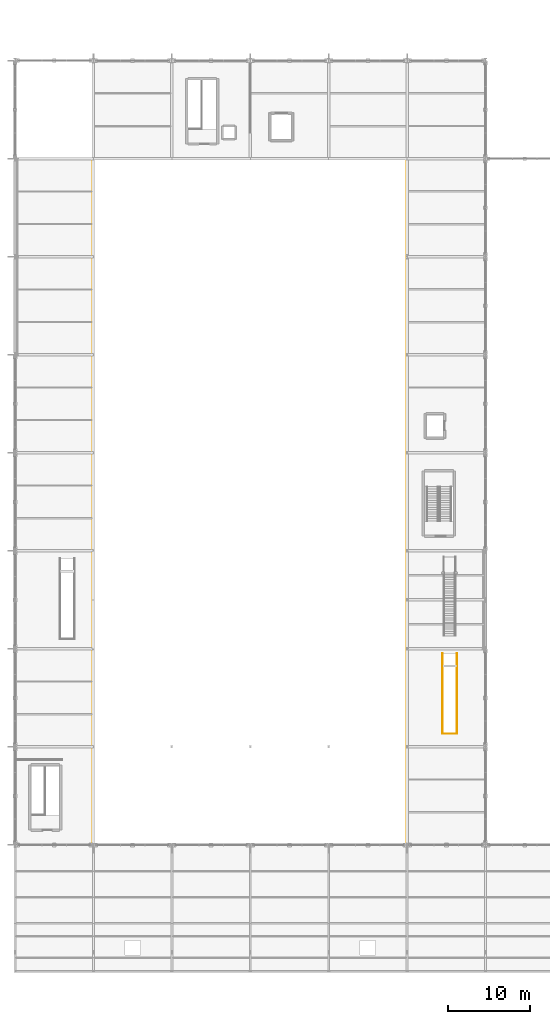
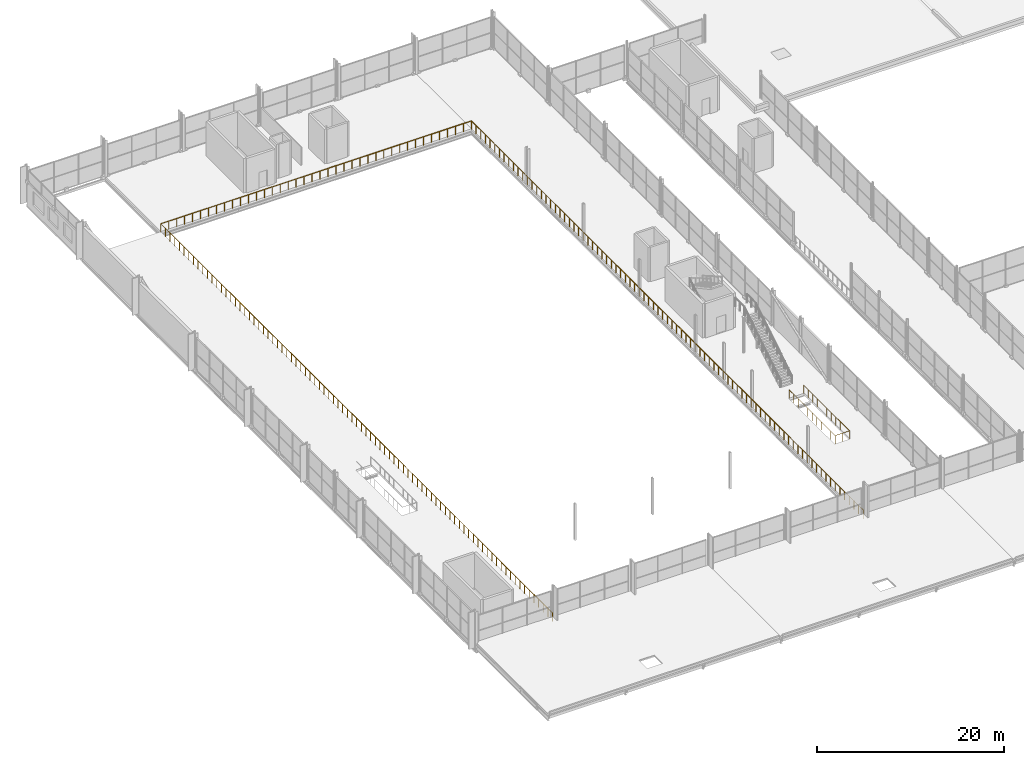
# One storey, part 152 of 159: 2 railings.
"""IFC4 building model written with IfcOpenShell, lengths in metres."""

from ifc_helpers import new_model, si_unit, direction, frame, origin, origin_2d, place, context, subcontext, project, spatial, circle, extrude, material, type_object, element, save


model = new_model("IFC4")

# Units and contexts
model_context = context("Model", 3, precision=1e-05, world=origin(), true_north=direction((0.0, 1.0)))
body_context = subcontext(model_context, "Body", "Model", "MODEL_VIEW")
ifc_project = project(units=[si_unit("LENGTHUNIT", "METRE"), si_unit("AREAUNIT", "SQUARE_METRE"), si_unit("VOLUMEUNIT", "CUBIC_METRE"), si_unit("PLANEANGLEUNIT", "RADIAN"), si_unit("MASSUNIT", "GRAM", prefix="KILO")], contexts=[model_context])

# Site, building, storey
site_placement = place(None, origin())
site = spatial("IfcSite", under=ifc_project, at=site_placement, CompositionType="ELEMENT")
building_placement = place(site_placement, origin())
building = spatial("IfcBuilding", under=site, at=building_placement, Name="Merenkruunu Market Hall", CompositionType="ELEMENT")
storey_placement = place(building_placement, frame((0.0, 0.0, 5.39990234375)))
storey = spatial("IfcBuildingStorey", under=building, at=storey_placement, Name="L01", CompositionType="ELEMENT", Elevation=5.39990234375)

# Railings
ifc_material = material(Name="Brushed stainless steel", Category="steel")
railing_type = type_object("IfcRailingType", Name="Gallery Balustrade Guard GR01", PredefinedType="BALUSTRADE", material=ifc_material)
railing_1_placement = place(storey_placement, frame((52.31005859375, 39.050048828125, 0.0)))
element("IfcRailing", 1, at=railing_1_placement, inside=storey, type_object=railing_type, Name="RAIL-L01-0108", PredefinedType="BALUSTRADE", context=body_context, shape_type="SweptSolid", body=[
    extrude(circle(Radius=0.02392578125, at=origin_2d()), frame((0.0, 0.0, 1.076171875), z_axis=(0.0, -1.0, 0.0), x_axis=(1.0, 0.0, 0.0)), (0.0, 0.0, 1.0), 9.85009765625),
    extrude(circle(Radius=0.02392578125, at=origin_2d()), frame((0.0, -9.85009765625, 1.076171875), z_axis=(1.0, 0.0, 0.0), x_axis=(0.0, 1.0, 0.0)), (0.0, 0.0, 1.0), 1.780029296875),
    extrude(circle(Radius=0.02392578125, at=origin_2d()), frame((1.780029296875, -9.85009765625, 1.076171875), z_axis=(0.0, 1.0, 0.0), x_axis=(-1.0, 0.0, 0.0)), (0.0, 0.0, 1.0), 9.85009765625),
    extrude(circle(Radius=0.02099609375, at=origin_2d()), origin(), (0.0, 0.0, 1.0), 1.052001953125),
    extrude(circle(Radius=0.02099609375, at=origin_2d()), frame((0.0, -0.985107421875, 0.0)), (0.0, 0.0, 1.0), 1.052001953125),
    extrude(circle(Radius=0.02099609375, at=origin_2d()), frame((0.0, -1.969970703125, 0.0)), (0.0, 0.0, 1.0), 1.052001953125),
    extrude(circle(Radius=0.02099609375, at=origin_2d()), frame((0.0, -2.955078125, 0.0)), (0.0, 0.0, 1.0), 1.052001953125),
    extrude(circle(Radius=0.02099609375, at=origin_2d()), frame((0.0, -3.93994140625, 0.0)), (0.0, 0.0, 1.0), 1.052001953125),
    extrude(circle(Radius=0.02099609375, at=origin_2d()), frame((0.0, -4.925048828125, 0.0)), (0.0, 0.0, 1.0), 1.052001953125),
    extrude(circle(Radius=0.02099609375, at=origin_2d()), frame((0.0, -5.91015625, 0.0)), (0.0, 0.0, 1.0), 1.052001953125),
    extrude(circle(Radius=0.02099609375, at=origin_2d()), frame((0.0, -6.89501953125, 0.0)), (0.0, 0.0, 1.0), 1.052001953125),
    extrude(circle(Radius=0.02099609375, at=origin_2d()), frame((0.0, -7.880126953125, 0.0)), (0.0, 0.0, 1.0), 1.052001953125),
    extrude(circle(Radius=0.02099609375, at=origin_2d()), frame((0.0, -8.864990234375, 0.0)), (0.0, 0.0, 1.0), 1.052001953125),
    extrude(circle(Radius=0.02099609375, at=origin_2d()), frame((0.0, -9.85009765625, 0.0)), (0.0, 0.0, 1.0), 1.052001953125),
    extrude(circle(Radius=0.02099609375, at=origin_2d()), frame((0.89013671875, -9.85009765625, 0.0)), (0.0, 0.0, 1.0), 1.052001953125),
    extrude(circle(Radius=0.02099609375, at=origin_2d()), frame((1.780029296875, -9.85009765625, 0.0)), (0.0, 0.0, 1.0), 1.052001953125),
    extrude(circle(Radius=0.02099609375, at=origin_2d()), frame((1.780029296875, -8.864990234375, 0.0)), (0.0, 0.0, 1.0), 1.052001953125),
    extrude(circle(Radius=0.02099609375, at=origin_2d()), frame((1.780029296875, -7.880126953125, 0.0)), (0.0, 0.0, 1.0), 1.052001953125),
    extrude(circle(Radius=0.02099609375, at=origin_2d()), frame((1.780029296875, -6.89501953125, 0.0)), (0.0, 0.0, 1.0), 1.052001953125),
    extrude(circle(Radius=0.02099609375, at=origin_2d()), frame((1.780029296875, -5.91015625, 0.0)), (0.0, 0.0, 1.0), 1.052001953125),
    extrude(circle(Radius=0.02099609375, at=origin_2d()), frame((1.780029296875, -4.925048828125, 0.0)), (0.0, 0.0, 1.0), 1.052001953125),
    extrude(circle(Radius=0.02099609375, at=origin_2d()), frame((1.780029296875, -3.93994140625, 0.0)), (0.0, 0.0, 1.0), 1.052001953125),
    extrude(circle(Radius=0.02099609375, at=origin_2d()), frame((1.780029296875, -2.955078125, 0.0)), (0.0, 0.0, 1.0), 1.052001953125),
    extrude(circle(Radius=0.02099609375, at=origin_2d()), frame((1.780029296875, -1.969970703125, 0.0)), (0.0, 0.0, 1.0), 1.052001953125),
    extrude(circle(Radius=0.02099609375, at=origin_2d()), frame((1.780029296875, -0.985107421875, 0.0)), (0.0, 0.0, 1.0), 1.052001953125),
    extrude(circle(Radius=0.02099609375, at=origin_2d()), frame((1.780029296875, 0.0, 0.0)), (0.0, 0.0, 1.0), 1.052001953125),
])
railing_2_placement = place(storey_placement, frame((9.550048828125, 15.64990234375, 0.0)))
element("IfcRailing", 2, at=railing_2_placement, inside=storey, type_object=railing_type, Name="RAIL-L01-0131", PredefinedType="BALUSTRADE", context=body_context, shape_type="SweptSolid", body=[
    extrude(circle(Radius=0.02392578125, at=origin_2d()), frame((0.0, 0.0, 1.076171875), z_axis=(0.0, 1.0, 0.0), x_axis=(-1.0, 0.0, 0.0)), (0.0, 0.0, 1.0), 83.900146484375),
    extrude(circle(Radius=0.02392578125, at=origin_2d()), frame((0.0, 83.900146484375, 1.076171875), z_axis=(1.0, 0.0, 0.0), x_axis=(0.0, 1.0, 0.0)), (0.0, 0.0, 1.0), 38.39990234375),
    extrude(circle(Radius=0.02392578125, at=origin_2d()), frame((38.39990234375, 83.900146484375, 1.076171875), z_axis=(0.0, -1.0, 0.0), x_axis=(1.0, 0.0, 0.0)), (0.0, 0.0, 1.0), 83.900146484375),
    extrude(circle(Radius=0.02099609375, at=origin_2d()), origin(), (0.0, 0.0, 1.0), 1.052001953125),
    extrude(circle(Radius=0.02099609375, at=origin_2d()), frame((0.0, 0.998779296875, 0.0)), (0.0, 0.0, 1.0), 1.052001953125),
    extrude(circle(Radius=0.02099609375, at=origin_2d()), frame((0.0, 1.99755859375, 0.0)), (0.0, 0.0, 1.0), 1.052001953125),
    extrude(circle(Radius=0.02099609375, at=origin_2d()), frame((0.0, 2.996337890625, 0.0)), (0.0, 0.0, 1.0), 1.052001953125),
    extrude(circle(Radius=0.02099609375, at=origin_2d()), frame((0.0, 3.995361328125, 0.0)), (0.0, 0.0, 1.0), 1.052001953125),
    extrude(circle(Radius=0.02099609375, at=origin_2d()), frame((0.0, 4.994140625, 0.0)), (0.0, 0.0, 1.0), 1.052001953125),
    extrude(circle(Radius=0.02099609375, at=origin_2d()), frame((0.0, 5.992919921875, 0.0)), (0.0, 0.0, 1.0), 1.052001953125),
    extrude(circle(Radius=0.02099609375, at=origin_2d()), frame((0.0, 6.99169921875, 0.0)), (0.0, 0.0, 1.0), 1.052001953125),
    extrude(circle(Radius=0.02099609375, at=origin_2d()), frame((0.0, 7.990478515625, 0.0)), (0.0, 0.0, 1.0), 1.052001953125),
    extrude(circle(Radius=0.02099609375, at=origin_2d()), frame((0.0, 8.9892578125, 0.0)), (0.0, 0.0, 1.0), 1.052001953125),
    extrude(circle(Radius=0.02099609375, at=origin_2d()), frame((0.0, 9.988037109375, 0.0)), (0.0, 0.0, 1.0), 1.052001953125),
    extrude(circle(Radius=0.02099609375, at=origin_2d()), frame((0.0, 10.98681640625, 0.0)), (0.0, 0.0, 1.0), 1.052001953125),
    extrude(circle(Radius=0.02099609375, at=origin_2d()), frame((0.0, 11.98583984375, 0.0)), (0.0, 0.0, 1.0), 1.052001953125),
    extrude(circle(Radius=0.02099609375, at=origin_2d()), frame((0.0, 12.984619140625, 0.0)), (0.0, 0.0, 1.0), 1.052001953125),
    extrude(circle(Radius=0.02099609375, at=origin_2d()), frame((0.0, 13.9833984375, 0.0)), (0.0, 0.0, 1.0), 1.052001953125),
    extrude(circle(Radius=0.02099609375, at=origin_2d()), frame((0.0, 14.982177734375, 0.0)), (0.0, 0.0, 1.0), 1.052001953125),
    extrude(circle(Radius=0.02099609375, at=origin_2d()), frame((0.0, 15.98095703125, 0.0)), (0.0, 0.0, 1.0), 1.052001953125),
    extrude(circle(Radius=0.02099609375, at=origin_2d()), frame((0.0, 16.979736328125, 0.0)), (0.0, 0.0, 1.0), 1.052001953125),
    extrude(circle(Radius=0.02099609375, at=origin_2d()), frame((0.0, 17.978515625, 0.0)), (0.0, 0.0, 1.0), 1.052001953125),
    extrude(circle(Radius=0.02099609375, at=origin_2d()), frame((0.0, 18.977294921875, 0.0)), (0.0, 0.0, 1.0), 1.052001953125),
    extrude(circle(Radius=0.02099609375, at=origin_2d()), frame((0.0, 19.976318359375, 0.0)), (0.0, 0.0, 1.0), 1.052001953125),
    extrude(circle(Radius=0.02099609375, at=origin_2d()), frame((0.0, 20.97509765625, 0.0)), (0.0, 0.0, 1.0), 1.052001953125),
    extrude(circle(Radius=0.02099609375, at=origin_2d()), frame((0.0, 21.973876953125, 0.0)), (0.0, 0.0, 1.0), 1.052001953125),
    extrude(circle(Radius=0.02099609375, at=origin_2d()), frame((0.0, 22.97265625, 0.0)), (0.0, 0.0, 1.0), 1.052001953125),
    extrude(circle(Radius=0.02099609375, at=origin_2d()), frame((0.0, 23.971435546875, 0.0)), (0.0, 0.0, 1.0), 1.052001953125),
    extrude(circle(Radius=0.02099609375, at=origin_2d()), frame((0.0, 24.97021484375, 0.0)), (0.0, 0.0, 1.0), 1.052001953125),
    extrude(circle(Radius=0.02099609375, at=origin_2d()), frame((0.0, 25.968994140625, 0.0)), (0.0, 0.0, 1.0), 1.052001953125),
    extrude(circle(Radius=0.02099609375, at=origin_2d()), frame((0.0, 26.968017578125, 0.0)), (0.0, 0.0, 1.0), 1.052001953125),
    extrude(circle(Radius=0.02099609375, at=origin_2d()), frame((0.0, 27.966796875, 0.0)), (0.0, 0.0, 1.0), 1.052001953125),
    extrude(circle(Radius=0.02099609375, at=origin_2d()), frame((0.0, 28.965576171875, 0.0)), (0.0, 0.0, 1.0), 1.052001953125),
    extrude(circle(Radius=0.02099609375, at=origin_2d()), frame((0.0, 29.96435546875, 0.0)), (0.0, 0.0, 1.0), 1.052001953125),
    extrude(circle(Radius=0.02099609375, at=origin_2d()), frame((0.0, 30.963134765625, 0.0)), (0.0, 0.0, 1.0), 1.052001953125),
    extrude(circle(Radius=0.02099609375, at=origin_2d()), frame((0.0, 31.9619140625, 0.0)), (0.0, 0.0, 1.0), 1.052001953125),
    extrude(circle(Radius=0.02099609375, at=origin_2d()), frame((0.0, 32.960693359375, 0.0)), (0.0, 0.0, 1.0), 1.052001953125),
    extrude(circle(Radius=0.02099609375, at=origin_2d()), frame((0.0, 33.95947265625, 0.0)), (0.0, 0.0, 1.0), 1.052001953125),
    extrude(circle(Radius=0.02099609375, at=origin_2d()), frame((0.0, 34.95849609375, 0.0)), (0.0, 0.0, 1.0), 1.052001953125),
    extrude(circle(Radius=0.02099609375, at=origin_2d()), frame((0.0, 35.957275390625, 0.0)), (0.0, 0.0, 1.0), 1.052001953125),
    extrude(circle(Radius=0.02099609375, at=origin_2d()), frame((0.0, 36.9560546875, 0.0)), (0.0, 0.0, 1.0), 1.052001953125),
    extrude(circle(Radius=0.02099609375, at=origin_2d()), frame((0.0, 37.954833984375, 0.0)), (0.0, 0.0, 1.0), 1.052001953125),
    extrude(circle(Radius=0.02099609375, at=origin_2d()), frame((0.0, 38.95361328125, 0.0)), (0.0, 0.0, 1.0), 1.052001953125),
    extrude(circle(Radius=0.02099609375, at=origin_2d()), frame((0.0, 39.952392578125, 0.0)), (0.0, 0.0, 1.0), 1.052001953125),
    extrude(circle(Radius=0.02099609375, at=origin_2d()), frame((0.0, 40.951171875, 0.0)), (0.0, 0.0, 1.0), 1.052001953125),
    extrude(circle(Radius=0.02099609375, at=origin_2d()), frame((0.0, 41.9501953125, 0.0)), (0.0, 0.0, 1.0), 1.052001953125),
    extrude(circle(Radius=0.02099609375, at=origin_2d()), frame((0.0, 42.948974609375, 0.0)), (0.0, 0.0, 1.0), 1.052001953125),
    extrude(circle(Radius=0.02099609375, at=origin_2d()), frame((0.0, 43.94775390625, 0.0)), (0.0, 0.0, 1.0), 1.052001953125),
    extrude(circle(Radius=0.02099609375, at=origin_2d()), frame((0.0, 44.946533203125, 0.0)), (0.0, 0.0, 1.0), 1.052001953125),
    extrude(circle(Radius=0.02099609375, at=origin_2d()), frame((0.0, 45.9453125, 0.0)), (0.0, 0.0, 1.0), 1.052001953125),
    extrude(circle(Radius=0.02099609375, at=origin_2d()), frame((0.0, 46.944091796875, 0.0)), (0.0, 0.0, 1.0), 1.052001953125),
    extrude(circle(Radius=0.02099609375, at=origin_2d()), frame((0.0, 47.94287109375, 0.0)), (0.0, 0.0, 1.0), 1.052001953125),
    extrude(circle(Radius=0.02099609375, at=origin_2d()), frame((0.0, 48.941650390625, 0.0)), (0.0, 0.0, 1.0), 1.052001953125),
    extrude(circle(Radius=0.02099609375, at=origin_2d()), frame((0.0, 49.940673828125, 0.0)), (0.0, 0.0, 1.0), 1.052001953125),
    extrude(circle(Radius=0.02099609375, at=origin_2d()), frame((0.0, 50.939453125, 0.0)), (0.0, 0.0, 1.0), 1.052001953125),
    extrude(circle(Radius=0.02099609375, at=origin_2d()), frame((0.0, 51.938232421875, 0.0)), (0.0, 0.0, 1.0), 1.052001953125),
    extrude(circle(Radius=0.02099609375, at=origin_2d()), frame((0.0, 52.93701171875, 0.0)), (0.0, 0.0, 1.0), 1.052001953125),
    extrude(circle(Radius=0.02099609375, at=origin_2d()), frame((0.0, 53.935791015625, 0.0)), (0.0, 0.0, 1.0), 1.052001953125),
    extrude(circle(Radius=0.02099609375, at=origin_2d()), frame((0.0, 54.9345703125, 0.0)), (0.0, 0.0, 1.0), 1.052001953125),
    extrude(circle(Radius=0.02099609375, at=origin_2d()), frame((0.0, 55.933349609375, 0.0)), (0.0, 0.0, 1.0), 1.052001953125),
    extrude(circle(Radius=0.02099609375, at=origin_2d()), frame((0.0, 56.93212890625, 0.0)), (0.0, 0.0, 1.0), 1.052001953125),
    extrude(circle(Radius=0.02099609375, at=origin_2d()), frame((0.0, 57.93115234375, 0.0)), (0.0, 0.0, 1.0), 1.052001953125),
    extrude(circle(Radius=0.02099609375, at=origin_2d()), frame((0.0, 58.929931640625, 0.0)), (0.0, 0.0, 1.0), 1.052001953125),
    extrude(circle(Radius=0.02099609375, at=origin_2d()), frame((0.0, 59.9287109375, 0.0)), (0.0, 0.0, 1.0), 1.052001953125),
    extrude(circle(Radius=0.02099609375, at=origin_2d()), frame((0.0, 60.927490234375, 0.0)), (0.0, 0.0, 1.0), 1.052001953125),
    extrude(circle(Radius=0.02099609375, at=origin_2d()), frame((0.0, 61.92626953125, 0.0)), (0.0, 0.0, 1.0), 1.052001953125),
    extrude(circle(Radius=0.02099609375, at=origin_2d()), frame((0.0, 62.925048828125, 0.0)), (0.0, 0.0, 1.0), 1.052001953125),
    extrude(circle(Radius=0.02099609375, at=origin_2d()), frame((0.0, 63.923828125, 0.0)), (0.0, 0.0, 1.0), 1.052001953125),
    extrude(circle(Radius=0.02099609375, at=origin_2d()), frame((0.0, 64.9228515625, 0.0)), (0.0, 0.0, 1.0), 1.052001953125),
    extrude(circle(Radius=0.02099609375, at=origin_2d()), frame((0.0, 65.921630859375, 0.0)), (0.0, 0.0, 1.0), 1.052001953125),
    extrude(circle(Radius=0.02099609375, at=origin_2d()), frame((0.0, 66.92041015625, 0.0)), (0.0, 0.0, 1.0), 1.052001953125),
    extrude(circle(Radius=0.02099609375, at=origin_2d()), frame((0.0, 67.919189453125, 0.0)), (0.0, 0.0, 1.0), 1.052001953125),
    extrude(circle(Radius=0.02099609375, at=origin_2d()), frame((0.0, 68.91796875, 0.0)), (0.0, 0.0, 1.0), 1.052001953125),
    extrude(circle(Radius=0.02099609375, at=origin_2d()), frame((0.0, 69.916748046875, 0.0)), (0.0, 0.0, 1.0), 1.052001953125),
    extrude(circle(Radius=0.02099609375, at=origin_2d()), frame((0.0, 70.91552734375, 0.0)), (0.0, 0.0, 1.0), 1.052001953125),
    extrude(circle(Radius=0.02099609375, at=origin_2d()), frame((0.0, 71.914306640625, 0.0)), (0.0, 0.0, 1.0), 1.052001953125),
    extrude(circle(Radius=0.02099609375, at=origin_2d()), frame((0.0, 72.913330078125, 0.0)), (0.0, 0.0, 1.0), 1.052001953125),
    extrude(circle(Radius=0.02099609375, at=origin_2d()), frame((0.0, 73.912109375, 0.0)), (0.0, 0.0, 1.0), 1.052001953125),
    extrude(circle(Radius=0.02099609375, at=origin_2d()), frame((0.0, 74.910888671875, 0.0)), (0.0, 0.0, 1.0), 1.052001953125),
    extrude(circle(Radius=0.02099609375, at=origin_2d()), frame((0.0, 75.90966796875, 0.0)), (0.0, 0.0, 1.0), 1.052001953125),
    extrude(circle(Radius=0.02099609375, at=origin_2d()), frame((0.0, 76.908447265625, 0.0)), (0.0, 0.0, 1.0), 1.052001953125),
    extrude(circle(Radius=0.02099609375, at=origin_2d()), frame((0.0, 77.9072265625, 0.0)), (0.0, 0.0, 1.0), 1.052001953125),
    extrude(circle(Radius=0.02099609375, at=origin_2d()), frame((0.0, 78.906005859375, 0.0)), (0.0, 0.0, 1.0), 1.052001953125),
    extrude(circle(Radius=0.02099609375, at=origin_2d()), frame((0.0, 79.90478515625, 0.0)), (0.0, 0.0, 1.0), 1.052001953125),
    extrude(circle(Radius=0.02099609375, at=origin_2d()), frame((0.0, 80.90380859375, 0.0)), (0.0, 0.0, 1.0), 1.052001953125),
    extrude(circle(Radius=0.02099609375, at=origin_2d()), frame((0.0, 81.902587890625, 0.0)), (0.0, 0.0, 1.0), 1.052001953125),
    extrude(circle(Radius=0.02099609375, at=origin_2d()), frame((0.0, 82.9013671875, 0.0)), (0.0, 0.0, 1.0), 1.052001953125),
    extrude(circle(Radius=0.02099609375, at=origin_2d()), frame((0.0, 83.900146484375, 0.0)), (0.0, 0.0, 1.0), 1.052001953125),
    extrude(circle(Radius=0.02099609375, at=origin_2d()), frame((0.984619140625, 83.900146484375, 0.0)), (0.0, 0.0, 1.0), 1.052001953125),
    extrude(circle(Radius=0.02099609375, at=origin_2d()), frame((1.96923828125, 83.900146484375, 0.0)), (0.0, 0.0, 1.0), 1.052001953125),
    extrude(circle(Radius=0.02099609375, at=origin_2d()), frame((2.953857421875, 83.900146484375, 0.0)), (0.0, 0.0, 1.0), 1.052001953125),
    extrude(circle(Radius=0.02099609375, at=origin_2d()), frame((3.9384765625, 83.900146484375, 0.0)), (0.0, 0.0, 1.0), 1.052001953125),
    extrude(circle(Radius=0.02099609375, at=origin_2d()), frame((4.923095703125, 83.900146484375, 0.0)), (0.0, 0.0, 1.0), 1.052001953125),
    extrude(circle(Radius=0.02099609375, at=origin_2d()), frame((5.90771484375, 83.900146484375, 0.0)), (0.0, 0.0, 1.0), 1.052001953125),
    extrude(circle(Radius=0.02099609375, at=origin_2d()), frame((6.892333984375, 83.900146484375, 0.0)), (0.0, 0.0, 1.0), 1.052001953125),
    extrude(circle(Radius=0.02099609375, at=origin_2d()), frame((7.876953125, 83.900146484375, 0.0)), (0.0, 0.0, 1.0), 1.052001953125),
    extrude(circle(Radius=0.02099609375, at=origin_2d()), frame((8.861572265625, 83.900146484375, 0.0)), (0.0, 0.0, 1.0), 1.052001953125),
    extrude(circle(Radius=0.02099609375, at=origin_2d()), frame((9.84619140625, 83.900146484375, 0.0)), (0.0, 0.0, 1.0), 1.052001953125),
    extrude(circle(Radius=0.02099609375, at=origin_2d()), frame((10.830810546875, 83.900146484375, 0.0)), (0.0, 0.0, 1.0), 1.052001953125),
    extrude(circle(Radius=0.02099609375, at=origin_2d()), frame((11.8154296875, 83.900146484375, 0.0)), (0.0, 0.0, 1.0), 1.052001953125),
    extrude(circle(Radius=0.02099609375, at=origin_2d()), frame((12.800048828125, 83.900146484375, 0.0)), (0.0, 0.0, 1.0), 1.052001953125),
    extrude(circle(Radius=0.02099609375, at=origin_2d()), frame((13.78466796875, 83.900146484375, 0.0)), (0.0, 0.0, 1.0), 1.052001953125),
    extrude(circle(Radius=0.02099609375, at=origin_2d()), frame((14.769287109375, 83.900146484375, 0.0)), (0.0, 0.0, 1.0), 1.052001953125),
    extrude(circle(Radius=0.02099609375, at=origin_2d()), frame((15.75390625, 83.900146484375, 0.0)), (0.0, 0.0, 1.0), 1.052001953125),
    extrude(circle(Radius=0.02099609375, at=origin_2d()), frame((16.738525390625, 83.900146484375, 0.0)), (0.0, 0.0, 1.0), 1.052001953125),
    extrude(circle(Radius=0.02099609375, at=origin_2d()), frame((17.72314453125, 83.900146484375, 0.0)), (0.0, 0.0, 1.0), 1.052001953125),
    extrude(circle(Radius=0.02099609375, at=origin_2d()), frame((18.707763671875, 83.900146484375, 0.0)), (0.0, 0.0, 1.0), 1.052001953125),
    extrude(circle(Radius=0.02099609375, at=origin_2d()), frame((19.692138671875, 83.900146484375, 0.0)), (0.0, 0.0, 1.0), 1.052001953125),
    extrude(circle(Radius=0.02099609375, at=origin_2d()), frame((20.6767578125, 83.900146484375, 0.0)), (0.0, 0.0, 1.0), 1.052001953125),
    extrude(circle(Radius=0.02099609375, at=origin_2d()), frame((21.661376953125, 83.900146484375, 0.0)), (0.0, 0.0, 1.0), 1.052001953125),
    extrude(circle(Radius=0.02099609375, at=origin_2d()), frame((22.64599609375, 83.900146484375, 0.0)), (0.0, 0.0, 1.0), 1.052001953125),
    extrude(circle(Radius=0.02099609375, at=origin_2d()), frame((23.630615234375, 83.900146484375, 0.0)), (0.0, 0.0, 1.0), 1.052001953125),
    extrude(circle(Radius=0.02099609375, at=origin_2d()), frame((24.615234375, 83.900146484375, 0.0)), (0.0, 0.0, 1.0), 1.052001953125),
    extrude(circle(Radius=0.02099609375, at=origin_2d()), frame((25.599853515625, 83.900146484375, 0.0)), (0.0, 0.0, 1.0), 1.052001953125),
    extrude(circle(Radius=0.02099609375, at=origin_2d()), frame((26.58447265625, 83.900146484375, 0.0)), (0.0, 0.0, 1.0), 1.052001953125),
    extrude(circle(Radius=0.02099609375, at=origin_2d()), frame((27.569091796875, 83.900146484375, 0.0)), (0.0, 0.0, 1.0), 1.052001953125),
    extrude(circle(Radius=0.02099609375, at=origin_2d()), frame((28.5537109375, 83.900146484375, 0.0)), (0.0, 0.0, 1.0), 1.052001953125),
    extrude(circle(Radius=0.02099609375, at=origin_2d()), frame((29.538330078125, 83.900146484375, 0.0)), (0.0, 0.0, 1.0), 1.052001953125),
    extrude(circle(Radius=0.02099609375, at=origin_2d()), frame((30.52294921875, 83.900146484375, 0.0)), (0.0, 0.0, 1.0), 1.052001953125),
    extrude(circle(Radius=0.02099609375, at=origin_2d()), frame((31.507568359375, 83.900146484375, 0.0)), (0.0, 0.0, 1.0), 1.052001953125),
    extrude(circle(Radius=0.02099609375, at=origin_2d()), frame((32.4921875, 83.900146484375, 0.0)), (0.0, 0.0, 1.0), 1.052001953125),
    extrude(circle(Radius=0.02099609375, at=origin_2d()), frame((33.476806640625, 83.900146484375, 0.0)), (0.0, 0.0, 1.0), 1.052001953125),
    extrude(circle(Radius=0.02099609375, at=origin_2d()), frame((34.46142578125, 83.900146484375, 0.0)), (0.0, 0.0, 1.0), 1.052001953125),
    extrude(circle(Radius=0.02099609375, at=origin_2d()), frame((35.446044921875, 83.900146484375, 0.0)), (0.0, 0.0, 1.0), 1.052001953125),
    extrude(circle(Radius=0.02099609375, at=origin_2d()), frame((36.4306640625, 83.900146484375, 0.0)), (0.0, 0.0, 1.0), 1.052001953125),
    extrude(circle(Radius=0.02099609375, at=origin_2d()), frame((37.415283203125, 83.900146484375, 0.0)), (0.0, 0.0, 1.0), 1.052001953125),
    extrude(circle(Radius=0.02099609375, at=origin_2d()), frame((38.39990234375, 83.900146484375, 0.0)), (0.0, 0.0, 1.0), 1.052001953125),
    extrude(circle(Radius=0.02099609375, at=origin_2d()), frame((38.39990234375, 82.9013671875, 0.0)), (0.0, 0.0, 1.0), 1.052001953125),
    extrude(circle(Radius=0.02099609375, at=origin_2d()), frame((38.39990234375, 81.902587890625, 0.0)), (0.0, 0.0, 1.0), 1.052001953125),
    extrude(circle(Radius=0.02099609375, at=origin_2d()), frame((38.39990234375, 80.90380859375, 0.0)), (0.0, 0.0, 1.0), 1.052001953125),
    extrude(circle(Radius=0.02099609375, at=origin_2d()), frame((38.39990234375, 79.90478515625, 0.0)), (0.0, 0.0, 1.0), 1.052001953125),
    extrude(circle(Radius=0.02099609375, at=origin_2d()), frame((38.39990234375, 78.906005859375, 0.0)), (0.0, 0.0, 1.0), 1.052001953125),
    extrude(circle(Radius=0.02099609375, at=origin_2d()), frame((38.39990234375, 77.9072265625, 0.0)), (0.0, 0.0, 1.0), 1.052001953125),
    extrude(circle(Radius=0.02099609375, at=origin_2d()), frame((38.39990234375, 76.908447265625, 0.0)), (0.0, 0.0, 1.0), 1.052001953125),
    extrude(circle(Radius=0.02099609375, at=origin_2d()), frame((38.39990234375, 75.90966796875, 0.0)), (0.0, 0.0, 1.0), 1.052001953125),
    extrude(circle(Radius=0.02099609375, at=origin_2d()), frame((38.39990234375, 74.910888671875, 0.0)), (0.0, 0.0, 1.0), 1.052001953125),
    extrude(circle(Radius=0.02099609375, at=origin_2d()), frame((38.39990234375, 73.912109375, 0.0)), (0.0, 0.0, 1.0), 1.052001953125),
    extrude(circle(Radius=0.02099609375, at=origin_2d()), frame((38.39990234375, 72.913330078125, 0.0)), (0.0, 0.0, 1.0), 1.052001953125),
    extrude(circle(Radius=0.02099609375, at=origin_2d()), frame((38.39990234375, 71.914306640625, 0.0)), (0.0, 0.0, 1.0), 1.052001953125),
    extrude(circle(Radius=0.02099609375, at=origin_2d()), frame((38.39990234375, 70.91552734375, 0.0)), (0.0, 0.0, 1.0), 1.052001953125),
    extrude(circle(Radius=0.02099609375, at=origin_2d()), frame((38.39990234375, 69.916748046875, 0.0)), (0.0, 0.0, 1.0), 1.052001953125),
    extrude(circle(Radius=0.02099609375, at=origin_2d()), frame((38.39990234375, 68.91796875, 0.0)), (0.0, 0.0, 1.0), 1.052001953125),
    extrude(circle(Radius=0.02099609375, at=origin_2d()), frame((38.39990234375, 67.919189453125, 0.0)), (0.0, 0.0, 1.0), 1.052001953125),
    extrude(circle(Radius=0.02099609375, at=origin_2d()), frame((38.39990234375, 66.92041015625, 0.0)), (0.0, 0.0, 1.0), 1.052001953125),
    extrude(circle(Radius=0.02099609375, at=origin_2d()), frame((38.39990234375, 65.921630859375, 0.0)), (0.0, 0.0, 1.0), 1.052001953125),
    extrude(circle(Radius=0.02099609375, at=origin_2d()), frame((38.39990234375, 64.9228515625, 0.0)), (0.0, 0.0, 1.0), 1.052001953125),
    extrude(circle(Radius=0.02099609375, at=origin_2d()), frame((38.39990234375, 63.923828125, 0.0)), (0.0, 0.0, 1.0), 1.052001953125),
    extrude(circle(Radius=0.02099609375, at=origin_2d()), frame((38.39990234375, 62.925048828125, 0.0)), (0.0, 0.0, 1.0), 1.052001953125),
    extrude(circle(Radius=0.02099609375, at=origin_2d()), frame((38.39990234375, 61.92626953125, 0.0)), (0.0, 0.0, 1.0), 1.052001953125),
    extrude(circle(Radius=0.02099609375, at=origin_2d()), frame((38.39990234375, 60.927490234375, 0.0)), (0.0, 0.0, 1.0), 1.052001953125),
    extrude(circle(Radius=0.02099609375, at=origin_2d()), frame((38.39990234375, 59.9287109375, 0.0)), (0.0, 0.0, 1.0), 1.052001953125),
    extrude(circle(Radius=0.02099609375, at=origin_2d()), frame((38.39990234375, 58.929931640625, 0.0)), (0.0, 0.0, 1.0), 1.052001953125),
    extrude(circle(Radius=0.02099609375, at=origin_2d()), frame((38.39990234375, 57.93115234375, 0.0)), (0.0, 0.0, 1.0), 1.052001953125),
    extrude(circle(Radius=0.02099609375, at=origin_2d()), frame((38.39990234375, 56.93212890625, 0.0)), (0.0, 0.0, 1.0), 1.052001953125),
    extrude(circle(Radius=0.02099609375, at=origin_2d()), frame((38.39990234375, 55.933349609375, 0.0)), (0.0, 0.0, 1.0), 1.052001953125),
    extrude(circle(Radius=0.02099609375, at=origin_2d()), frame((38.39990234375, 54.9345703125, 0.0)), (0.0, 0.0, 1.0), 1.052001953125),
    extrude(circle(Radius=0.02099609375, at=origin_2d()), frame((38.39990234375, 53.935791015625, 0.0)), (0.0, 0.0, 1.0), 1.052001953125),
    extrude(circle(Radius=0.02099609375, at=origin_2d()), frame((38.39990234375, 52.93701171875, 0.0)), (0.0, 0.0, 1.0), 1.052001953125),
    extrude(circle(Radius=0.02099609375, at=origin_2d()), frame((38.39990234375, 51.938232421875, 0.0)), (0.0, 0.0, 1.0), 1.052001953125),
    extrude(circle(Radius=0.02099609375, at=origin_2d()), frame((38.39990234375, 50.939453125, 0.0)), (0.0, 0.0, 1.0), 1.052001953125),
    extrude(circle(Radius=0.02099609375, at=origin_2d()), frame((38.39990234375, 49.940673828125, 0.0)), (0.0, 0.0, 1.0), 1.052001953125),
    extrude(circle(Radius=0.02099609375, at=origin_2d()), frame((38.39990234375, 48.941650390625, 0.0)), (0.0, 0.0, 1.0), 1.052001953125),
    extrude(circle(Radius=0.02099609375, at=origin_2d()), frame((38.39990234375, 47.94287109375, 0.0)), (0.0, 0.0, 1.0), 1.052001953125),
    extrude(circle(Radius=0.02099609375, at=origin_2d()), frame((38.39990234375, 46.944091796875, 0.0)), (0.0, 0.0, 1.0), 1.052001953125),
    extrude(circle(Radius=0.02099609375, at=origin_2d()), frame((38.39990234375, 45.9453125, 0.0)), (0.0, 0.0, 1.0), 1.052001953125),
    extrude(circle(Radius=0.02099609375, at=origin_2d()), frame((38.39990234375, 44.946533203125, 0.0)), (0.0, 0.0, 1.0), 1.052001953125),
    extrude(circle(Radius=0.02099609375, at=origin_2d()), frame((38.39990234375, 43.94775390625, 0.0)), (0.0, 0.0, 1.0), 1.052001953125),
    extrude(circle(Radius=0.02099609375, at=origin_2d()), frame((38.39990234375, 42.948974609375, 0.0)), (0.0, 0.0, 1.0), 1.052001953125),
    extrude(circle(Radius=0.02099609375, at=origin_2d()), frame((38.39990234375, 41.9501953125, 0.0)), (0.0, 0.0, 1.0), 1.052001953125),
    extrude(circle(Radius=0.02099609375, at=origin_2d()), frame((38.39990234375, 40.951171875, 0.0)), (0.0, 0.0, 1.0), 1.052001953125),
    extrude(circle(Radius=0.02099609375, at=origin_2d()), frame((38.39990234375, 39.952392578125, 0.0)), (0.0, 0.0, 1.0), 1.052001953125),
    extrude(circle(Radius=0.02099609375, at=origin_2d()), frame((38.39990234375, 38.95361328125, 0.0)), (0.0, 0.0, 1.0), 1.052001953125),
    extrude(circle(Radius=0.02099609375, at=origin_2d()), frame((38.39990234375, 37.954833984375, 0.0)), (0.0, 0.0, 1.0), 1.052001953125),
    extrude(circle(Radius=0.02099609375, at=origin_2d()), frame((38.39990234375, 36.9560546875, 0.0)), (0.0, 0.0, 1.0), 1.052001953125),
    extrude(circle(Radius=0.02099609375, at=origin_2d()), frame((38.39990234375, 35.957275390625, 0.0)), (0.0, 0.0, 1.0), 1.052001953125),
    extrude(circle(Radius=0.02099609375, at=origin_2d()), frame((38.39990234375, 34.95849609375, 0.0)), (0.0, 0.0, 1.0), 1.052001953125),
    extrude(circle(Radius=0.02099609375, at=origin_2d()), frame((38.39990234375, 33.95947265625, 0.0)), (0.0, 0.0, 1.0), 1.052001953125),
    extrude(circle(Radius=0.02099609375, at=origin_2d()), frame((38.39990234375, 32.960693359375, 0.0)), (0.0, 0.0, 1.0), 1.052001953125),
    extrude(circle(Radius=0.02099609375, at=origin_2d()), frame((38.39990234375, 31.9619140625, 0.0)), (0.0, 0.0, 1.0), 1.052001953125),
    extrude(circle(Radius=0.02099609375, at=origin_2d()), frame((38.39990234375, 30.963134765625, 0.0)), (0.0, 0.0, 1.0), 1.052001953125),
    extrude(circle(Radius=0.02099609375, at=origin_2d()), frame((38.39990234375, 29.96435546875, 0.0)), (0.0, 0.0, 1.0), 1.052001953125),
    extrude(circle(Radius=0.02099609375, at=origin_2d()), frame((38.39990234375, 28.965576171875, 0.0)), (0.0, 0.0, 1.0), 1.052001953125),
    extrude(circle(Radius=0.02099609375, at=origin_2d()), frame((38.39990234375, 27.966796875, 0.0)), (0.0, 0.0, 1.0), 1.052001953125),
    extrude(circle(Radius=0.02099609375, at=origin_2d()), frame((38.39990234375, 26.968017578125, 0.0)), (0.0, 0.0, 1.0), 1.052001953125),
    extrude(circle(Radius=0.02099609375, at=origin_2d()), frame((38.39990234375, 25.968994140625, 0.0)), (0.0, 0.0, 1.0), 1.052001953125),
    extrude(circle(Radius=0.02099609375, at=origin_2d()), frame((38.39990234375, 24.97021484375, 0.0)), (0.0, 0.0, 1.0), 1.052001953125),
    extrude(circle(Radius=0.02099609375, at=origin_2d()), frame((38.39990234375, 23.971435546875, 0.0)), (0.0, 0.0, 1.0), 1.052001953125),
    extrude(circle(Radius=0.02099609375, at=origin_2d()), frame((38.39990234375, 22.97265625, 0.0)), (0.0, 0.0, 1.0), 1.052001953125),
    extrude(circle(Radius=0.02099609375, at=origin_2d()), frame((38.39990234375, 21.973876953125, 0.0)), (0.0, 0.0, 1.0), 1.052001953125),
    extrude(circle(Radius=0.02099609375, at=origin_2d()), frame((38.39990234375, 20.97509765625, 0.0)), (0.0, 0.0, 1.0), 1.052001953125),
    extrude(circle(Radius=0.02099609375, at=origin_2d()), frame((38.39990234375, 19.976318359375, 0.0)), (0.0, 0.0, 1.0), 1.052001953125),
    extrude(circle(Radius=0.02099609375, at=origin_2d()), frame((38.39990234375, 18.977294921875, 0.0)), (0.0, 0.0, 1.0), 1.052001953125),
    extrude(circle(Radius=0.02099609375, at=origin_2d()), frame((38.39990234375, 17.978515625, 0.0)), (0.0, 0.0, 1.0), 1.052001953125),
    extrude(circle(Radius=0.02099609375, at=origin_2d()), frame((38.39990234375, 16.979736328125, 0.0)), (0.0, 0.0, 1.0), 1.052001953125),
    extrude(circle(Radius=0.02099609375, at=origin_2d()), frame((38.39990234375, 15.98095703125, 0.0)), (0.0, 0.0, 1.0), 1.052001953125),
    extrude(circle(Radius=0.02099609375, at=origin_2d()), frame((38.39990234375, 14.982177734375, 0.0)), (0.0, 0.0, 1.0), 1.052001953125),
    extrude(circle(Radius=0.02099609375, at=origin_2d()), frame((38.39990234375, 13.9833984375, 0.0)), (0.0, 0.0, 1.0), 1.052001953125),
    extrude(circle(Radius=0.02099609375, at=origin_2d()), frame((38.39990234375, 12.984619140625, 0.0)), (0.0, 0.0, 1.0), 1.052001953125),
    extrude(circle(Radius=0.02099609375, at=origin_2d()), frame((38.39990234375, 11.98583984375, 0.0)), (0.0, 0.0, 1.0), 1.052001953125),
    extrude(circle(Radius=0.02099609375, at=origin_2d()), frame((38.39990234375, 10.98681640625, 0.0)), (0.0, 0.0, 1.0), 1.052001953125),
    extrude(circle(Radius=0.02099609375, at=origin_2d()), frame((38.39990234375, 9.988037109375, 0.0)), (0.0, 0.0, 1.0), 1.052001953125),
    extrude(circle(Radius=0.02099609375, at=origin_2d()), frame((38.39990234375, 8.9892578125, 0.0)), (0.0, 0.0, 1.0), 1.052001953125),
    extrude(circle(Radius=0.02099609375, at=origin_2d()), frame((38.39990234375, 7.990478515625, 0.0)), (0.0, 0.0, 1.0), 1.052001953125),
    extrude(circle(Radius=0.02099609375, at=origin_2d()), frame((38.39990234375, 6.99169921875, 0.0)), (0.0, 0.0, 1.0), 1.052001953125),
    extrude(circle(Radius=0.02099609375, at=origin_2d()), frame((38.39990234375, 5.992919921875, 0.0)), (0.0, 0.0, 1.0), 1.052001953125),
    extrude(circle(Radius=0.02099609375, at=origin_2d()), frame((38.39990234375, 4.994140625, 0.0)), (0.0, 0.0, 1.0), 1.052001953125),
    extrude(circle(Radius=0.02099609375, at=origin_2d()), frame((38.39990234375, 3.995361328125, 0.0)), (0.0, 0.0, 1.0), 1.052001953125),
    extrude(circle(Radius=0.02099609375, at=origin_2d()), frame((38.39990234375, 2.996337890625, 0.0)), (0.0, 0.0, 1.0), 1.052001953125),
    extrude(circle(Radius=0.02099609375, at=origin_2d()), frame((38.39990234375, 1.99755859375, 0.0)), (0.0, 0.0, 1.0), 1.052001953125),
    extrude(circle(Radius=0.02099609375, at=origin_2d()), frame((38.39990234375, 0.998779296875, 0.0)), (0.0, 0.0, 1.0), 1.052001953125),
    extrude(circle(Radius=0.02099609375, at=origin_2d()), frame((38.39990234375, 0.0, 0.0)), (0.0, 0.0, 1.0), 1.052001953125),
])

save(model, "model.ifc")
